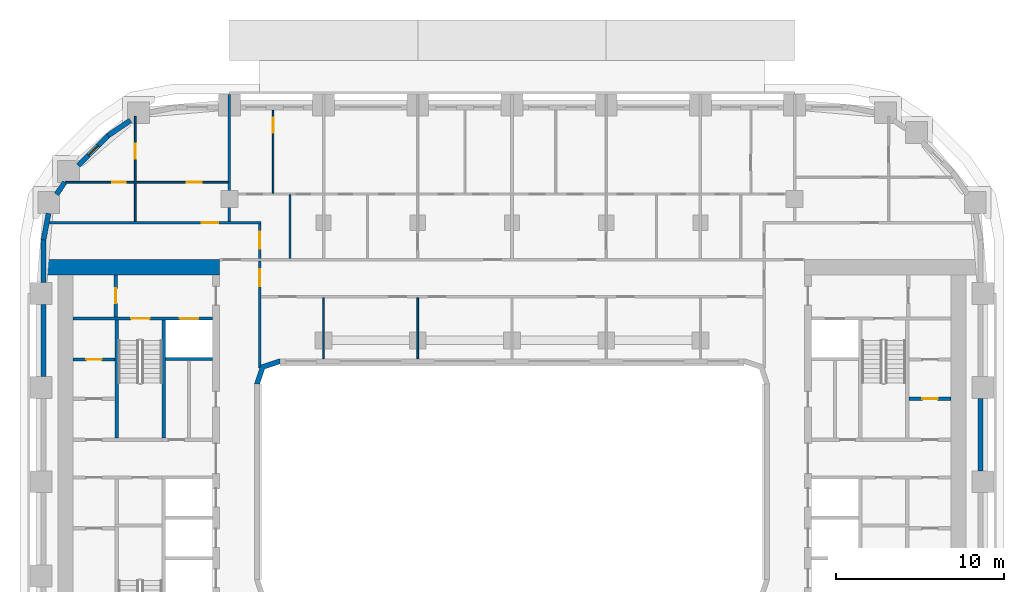
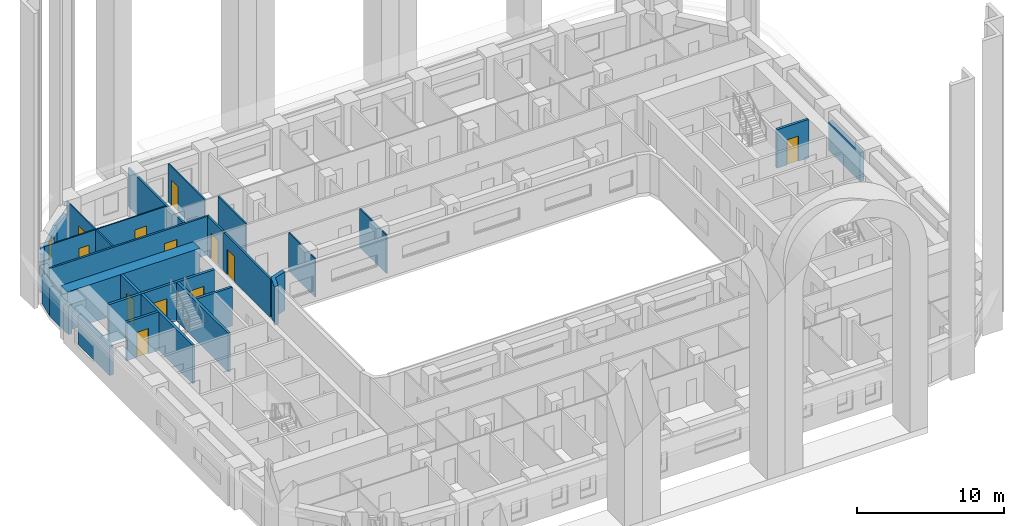
# One storey, part 7 of 19: 27 walls, 12 doors, 1 window, 13 openings.
"""IFC4 building model written with IfcOpenShell, lengths in metres."""

import ifcopenshell
import ifcopenshell.guid

model = None  # the IFC model being written
_history = None  # IfcOwnerHistory: only IFC2X3 demands one
_inside = {}  # id of a spatial element -> (the spatial element, [elements in it])
_under = {}  # id of a project, library or spatial element -> (it, [spatial elements below it])
_declared = {}  # id of a project -> (the project, [libraries it declares])
_typed = {}  # id of a type object -> (the type object, [elements of that type])
_made_of = {}  # id of a material, layer set ... -> (it, [elements and type objects made of it])


def new_model(schema):
    """Start an empty IFC model of exactly this schema.

    Asked for "IFC4X3", IfcOpenShell would pick the latest addendum, in which some entities
    have other attributes; the version numbers below select the first issue.
    IFC2X3 requires an IfcOwnerHistory on every rooted entity: one is made here for all.
    """
    global model, _history
    if schema == "IFC4X3":
        model = ifcopenshell.file(schema_version=(4, 3, 0, 0))
    else:
        model = ifcopenshell.file(schema=schema)
    _inside.clear()
    _under.clear()
    _declared.clear()
    _typed.clear()
    _made_of.clear()
    _history = None
    if model.schema == "IFC2X3":
        org = make("IfcOrganization", Name="unknown")
        user = make(
            "IfcPersonAndOrganization",
            ThePerson=make("IfcPerson", FamilyName="unknown"),
            TheOrganization=org,
        )
        app = make(
            "IfcApplication",
            ApplicationDeveloper=org,
            Version="unknown",
            ApplicationFullName="unknown",
            ApplicationIdentifier="unknown",
        )
        _history = make(
            "IfcOwnerHistory",
            OwningUser=user,
            OwningApplication=app,
            ChangeAction="ADDED",
            CreationDate=0,
        )
    return model


def make(cls, **values):
    """One entity of the class cls with the attributes given. An attribute that is None is left unset."""
    return model.create_entity(
        cls, **{name: value for name, value in values.items() if value is not None}
    )


def rooted(cls, **values):
    """An entity with a GlobalId (a new one), such as an element, a storey or a relation."""
    return make(cls, GlobalId=ifcopenshell.guid.new(), OwnerHistory=_history, **values)


def si_unit(unit_type, name, prefix=None):
    """IfcSIUnit, for example si_unit("LENGTHUNIT", "METRE", prefix="MILLI")."""
    return make("IfcSIUnit", UnitType=unit_type, Prefix=prefix, Name=name)


def assignment(units):
    """IfcUnitAssignment: the units of a project."""
    return None if units is None else make("IfcUnitAssignment", Units=units)


def point(xyz):
    """IfcCartesianPoint."""
    return None if xyz is None else make("IfcCartesianPoint", Coordinates=xyz)


def direction(xyz):
    """IfcDirection."""
    return None if xyz is None else make("IfcDirection", DirectionRatios=xyz)


def frame(location, z_axis=None, x_axis=None):
    """IfcAxis2Placement3D, a coordinate frame: its origin and axes. An axis left out is left unset."""
    return make(
        "IfcAxis2Placement3D",
        Location=point(location),
        Axis=direction(z_axis),
        RefDirection=direction(x_axis),
    )


def frame_2d(location, x_axis=None):
    """IfcAxis2Placement2D, a coordinate frame in the plane: its origin and x axis."""
    return make(
        "IfcAxis2Placement2D", Location=point(location), RefDirection=direction(x_axis)
    )


def origin():
    """The frame at (0, 0, 0) with its axes left unset."""
    return frame((0.0, 0.0, 0.0))


def place(relative_to, where):
    """IfcLocalPlacement: puts the frame where relative to a parent placement (None: the world)."""
    return make(
        "IfcLocalPlacement", PlacementRelTo=relative_to, RelativePlacement=where
    )


def context(
    kind, dimensions, precision=None, world=None, true_north=None, identifier=None
):
    """IfcGeometricRepresentationContext, for example the 3D "Model" context."""
    return make(
        "IfcGeometricRepresentationContext",
        ContextIdentifier=identifier,
        ContextType=kind,
        CoordinateSpaceDimension=dimensions,
        Precision=precision,
        WorldCoordinateSystem=world,
        TrueNorth=true_north,
    )


def subcontext(parent, identifier, kind, view, scale=None):
    """IfcGeometricRepresentationSubContext, for example "Body" below "Model"."""
    return make(
        "IfcGeometricRepresentationSubContext",
        ContextIdentifier=identifier,
        ContextType=kind,
        ParentContext=parent,
        TargetScale=scale,
        TargetView=view,
    )


def project(units=None, contexts=None):
    """IfcProject with its units and contexts."""
    return rooted(
        "IfcProject",
        Name="project",
        RepresentationContexts=contexts,
        UnitsInContext=assignment(units),
    )


def spatial(cls, under=None, at=None, **own):
    """A site, building, storey or space (cls), placed at a placement, below another one or the project."""
    s = rooted(cls, ObjectPlacement=at, **own)
    if under is not None:
        _under.setdefault(under.id(), (under, []))[1].append(s)
    return s


def polyline(points):
    """IfcPolyline through the points."""
    return make("IfcPolyline", Points=[point(p) for p in points])


def profile(cls, at=None, kind="AREA", **sizes):
    """A parametric profile (cls). Its sizes go by their IFC names, for example OverallWidth=200.0."""
    return make(cls, ProfileType=kind, Position=at, **sizes)


def rectangle(**sizes):
    """IfcRectangleProfileDef."""
    return profile("IfcRectangleProfileDef", **sizes)


def outline(outer, holes=None, kind="AREA"):
    """IfcArbitraryClosedProfileDef: a profile drawn as a closed curve; with holes, ...WithVoids."""
    if holes is None:
        return make("IfcArbitraryClosedProfileDef", ProfileType=kind, OuterCurve=outer)
    return make(
        "IfcArbitraryProfileDefWithVoids",
        ProfileType=kind,
        OuterCurve=outer,
        InnerCurves=holes,
    )


def extrude(swept, where, along, depth):
    """IfcExtrudedAreaSolid: the profile swept, set in the frame where, extruded along a direction by depth."""
    return make(
        "IfcExtrudedAreaSolid",
        SweptArea=swept,
        Position=where,
        ExtrudedDirection=direction(along),
        Depth=depth,
    )


def shape(context_of_items, identifier, shape_type, items):
    """IfcShapeRepresentation: the items that make up one representation, for example the "Body"."""
    return make(
        "IfcShapeRepresentation",
        ContextOfItems=context_of_items,
        RepresentationIdentifier=identifier,
        RepresentationType=shape_type,
        Items=items,
    )


def material(Name=None, Category=None):
    """IfcMaterial."""
    return make("IfcMaterial", Name=Name, Category=Category)


def layer(
    of_material, thickness, ventilated=None, Name=None, Category=None, Priority=None
):
    """IfcMaterialLayer: one layer of a wall or slab, of a material (None: an air gap)."""
    return make(
        "IfcMaterialLayer",
        Material=of_material,
        LayerThickness=thickness,
        IsVentilated=ventilated,
        Name=Name,
        Category=Category,
        Priority=Priority,
    )


def layer_set(layers, Name=None):
    """IfcMaterialLayerSet."""
    return make("IfcMaterialLayerSet", MaterialLayers=layers, LayerSetName=Name)


def made_of(thing, what):
    """Note that an element or type object is made of a material, layer set ...; save() writes the relation."""
    if what is not None:
        _made_of.setdefault(what.id(), (what, []))[1].append(thing)
    return thing


def type_object(cls, material=None, **own):
    """A type object (cls), such as IfcWallType, which elements share."""
    return made_of(rooted(cls, **own), material)


def element(
    cls,
    number,
    at=None,
    inside=None,
    cuts=None,
    type_object=None,
    material=None,
    context=None,
    identifier="Body",
    shape_type=None,
    held_by="IfcProductDefinitionShape",
    body=None,
    shapes=None,
    **own,
):
    """One element of the class cls, such as IfcWall. Its Tag is "e" and its number.

    at: its placement. inside: the storey or other place that contains it. cuts: it is an
    opening in that element (IfcRelVoidsElement). A single representation is given by context,
    identifier, shape_type and body (its items); several are given by shapes. held_by: the class
    of the entity that holds the representations. save() writes the other relations.
    """
    e = rooted(cls, Tag="e%d" % number, ObjectPlacement=at, **own)
    if body is not None:
        shapes = [shape(context, identifier, shape_type, body)]
    if shapes is not None:
        e.Representation = make(held_by, Representations=shapes)
    if inside is not None:
        _inside.setdefault(inside.id(), (inside, []))[1].append(e)
    if cuts is not None:
        rooted(
            "IfcRelVoidsElement", RelatingBuildingElement=cuts, RelatedOpeningElement=e
        )
    if type_object is not None:
        _typed.setdefault(type_object.id(), (type_object, []))[1].append(e)
    return made_of(e, material)


def fill(opening, filler):
    """IfcRelFillsElement: the door or window that sits in an opening."""
    return rooted(
        "IfcRelFillsElement",
        RelatingOpeningElement=opening,
        RelatedBuildingElement=filler,
    )


def aggregate(whole, parts):
    """IfcRelAggregates: a whole, such as a stair, and the parts it consists of."""
    return rooted("IfcRelAggregates", RelatingObject=whole, RelatedObjects=parts)


def save(model, path):
    """Write the relations noted so far, then the file.

    IfcRelAggregates (storeys below a building ...), IfcRelContainedInSpatialStructure (elements
    in a storey), IfcRelDefinesByType, IfcRelAssociatesMaterial and IfcRelDeclares: one each for
    every whole, place, type object, material and project.
    """
    for whole, parts in _under.values():
        aggregate(whole, parts)
    for where, things in _inside.values():
        rooted(
            "IfcRelContainedInSpatialStructure",
            RelatedElements=things,
            RelatingStructure=where,
        )
    for kind, things in _typed.values():
        rooted("IfcRelDefinesByType", RelatedObjects=things, RelatingType=kind)
    for what, things in _made_of.values():
        rooted("IfcRelAssociatesMaterial", RelatedObjects=things, RelatingMaterial=what)
    for by, libraries in _declared.values():
        rooted("IfcRelDeclares", RelatingContext=by, RelatedDefinitions=libraries)
    model.write(path)


model = new_model("IFC4")

# Units and contexts
model_context = context("Model", 3, precision=1e-05, world=origin(), true_north=direction((0.0, 1.0)))
body_context = subcontext(model_context, "Body", "Model", "MODEL_VIEW")
ifc_project = project(units=[si_unit("LENGTHUNIT", "METRE"), si_unit("AREAUNIT", "SQUARE_METRE"), si_unit("VOLUMEUNIT", "CUBIC_METRE"), si_unit("PLANEANGLEUNIT", "RADIAN"), si_unit("MASSUNIT", "GRAM", prefix="KILO")], contexts=[model_context])

# Site, building, storey
site_placement = place(None, origin())
site = spatial("IfcSite", under=ifc_project, at=site_placement, CompositionType="ELEMENT")
building_placement = place(site_placement, origin())
building = spatial("IfcBuilding", under=site, at=building_placement, Name="Kiln Ring Residences", CompositionType="ELEMENT")
storey_placement = place(building_placement, frame((0.0, 0.0, 83.300048828125)))
storey = spatial("IfcBuildingStorey", under=building, at=storey_placement, Name="L20", CompositionType="ELEMENT", Elevation=83.300048828125)

# Wall, opening, door
ifc_material_1 = material(Name="Gypsum board on steel studs", Category="steel")
ifc_layer_1 = layer(ifc_material_1, 0.199951171875)
ifc_layer_set_1 = layer_set([ifc_layer_1], Name="CORE-PARTITION-200")
wall_type_1 = type_object("IfcWallType", Name="CORE-PARTITION-200", PredefinedType="PARTITIONING", material=ifc_layer_set_1)
wall_1_placement = place(storey_placement, frame((-23.550048828125, 9.800048828125, 0.0), z_axis=(0.0, 0.0, 1.0), x_axis=(0.0, 1.0, 0.0)))
wall_1 = element("IfcWall", 1, at=wall_1_placement, inside=storey, type_object=wall_type_1, Name="Core partition west L20 4", PredefinedType="PARTITIONING", context=body_context, shape_type="SweptSolid", body=[
    extrude(rectangle(XDim=2.5, YDim=0.199951171875, at=frame_2d((1.25, 0.0))), origin(), (0.0, 0.0, 1.0), 3.199951171875),
])
opening_1_placement = place(wall_1_placement, frame((0.800048828125, 0.0, 0.0)))
opening_1 = element("IfcOpeningElement", 2, at=opening_1_placement, cuts=wall_1, Name="Opening L20-CW10", PredefinedType="OPENING", context=body_context, shape_type="SweptSolid", body=[
    extrude(rectangle(XDim=0.89990234375, YDim=2.10009765625, at=frame_2d((0.449951171875, 1.050048828125))), frame((0.0, 0.10986328125, 0.0), z_axis=(0.0, -1.0, 0.0), x_axis=(1.0, 0.0, 0.0)), (0.0, 0.0, 1.0), 0.219970703125),
])
ifc_material_2 = material(Name="Steel door leaf", Category="steel")
door_type_1 = type_object("IfcDoorType", Name="CORE-DOOR-ROOM", OperationType="SINGLE_SWING_LEFT", PredefinedType="DOOR", material=ifc_material_2)
door_1_placement = place(opening_1_placement, origin())
door_1 = element("IfcDoor", 3, at=door_1_placement, inside=storey, type_object=door_type_1, Name="Fire riser room L20-CW10", OperationType="SINGLE_SWING_RIGHT", OverallHeight=2.10009765625, OverallWidth=0.89990234375, PredefinedType="DOOR", context=body_context, shape_type="SweptSolid", body=[
    extrude(rectangle(XDim=0.89990234375, YDim=2.10009765625, at=frame_2d((0.449951171875, 1.050048828125))), frame((0.0, 0.02490234375, 0.0), z_axis=(0.0, -1.0, 0.0), x_axis=(1.0, 0.0, 0.0)), (0.0, 0.0, 1.0), 0.050048828125),
])
fill(opening_1, door_1)

wall_2_placement = place(storey_placement, frame((-23.60009765625, 7.2666015625, 0.0), z_axis=(0.0, 0.0, 1.0), x_axis=(-1.0, 0.0, 0.0)))
wall_2 = element("IfcWall", 4, at=wall_2_placement, inside=storey, type_object=wall_type_1, Name="Core partition west L20 9", PredefinedType="PARTITIONING", context=body_context, shape_type="SweptSolid", body=[
    extrude(rectangle(XDim=2.5, YDim=0.199951171875, at=frame_2d((1.25, 0.0))), origin(), (0.0, 0.0, 1.0), 3.199951171875),
])
opening_2_placement = place(wall_2_placement, frame((0.800048828125, 0.0, 0.0)))
opening_2 = element("IfcOpeningElement", 5, at=opening_2_placement, cuts=wall_2, Name="Opening L20-CW20", PredefinedType="OPENING", context=body_context, shape_type="SweptSolid", body=[
    extrude(rectangle(XDim=0.89990234375, YDim=2.10009765625, at=frame_2d((0.449951171875, 1.050048828125))), frame((0.0, 0.10986328125, 0.0), z_axis=(0.0, -1.0, 0.0), x_axis=(1.0, 0.0, 0.0)), (0.0, 0.0, 1.0), 0.219970703125),
])
door_2_placement = place(opening_2_placement, origin())
door_2 = element("IfcDoor", 6, at=door_2_placement, inside=storey, type_object=door_type_1, Name="Comms room L20-CW20", OperationType="SINGLE_SWING_LEFT", OverallHeight=2.10009765625, OverallWidth=0.89990234375, PredefinedType="DOOR", context=body_context, shape_type="SweptSolid", body=[
    extrude(rectangle(XDim=0.89990234375, YDim=2.10009765625, at=frame_2d((0.449951171875, 1.050048828125))), frame((0.0, 0.02490234375, 0.0), z_axis=(0.0, -1.0, 0.0), x_axis=(1.0, 0.0, 0.0)), (0.0, 0.0, 1.0), 0.050048828125),
])
fill(opening_2, door_2)

wall_3_placement = place(storey_placement, frame((23.60009765625, 4.933349609375, 0.0), z_axis=(0.0, 0.0, 1.0), x_axis=(1.0, 0.0, 0.0)))
wall_3 = element("IfcWall", 7, at=wall_3_placement, inside=storey, type_object=wall_type_1, Name="Core partition east L20 8", PredefinedType="PARTITIONING", context=body_context, shape_type="SweptSolid", body=[
    extrude(rectangle(XDim=2.5, YDim=0.199951171875, at=frame_2d((1.25, 0.0))), origin(), (0.0, 0.0, 1.0), 3.199951171875),
])
opening_3_placement = place(wall_3_placement, frame((0.800048828125, 0.0, 0.0)))
opening_3 = element("IfcOpeningElement", 8, at=opening_3_placement, cuts=wall_3, Name="Opening L20-CE19", PredefinedType="OPENING", context=body_context, shape_type="SweptSolid", body=[
    extrude(rectangle(XDim=0.89990234375, YDim=2.10009765625, at=frame_2d((0.449951171875, 1.050048828125))), frame((0.0, 0.10986328125, 0.0), z_axis=(0.0, -1.0, 0.0), x_axis=(1.0, 0.0, 0.0)), (0.0, 0.0, 1.0), 0.219970703125),
])
door_3_placement = place(opening_3_placement, origin())
door_3 = element("IfcDoor", 9, at=door_3_placement, inside=storey, type_object=door_type_1, Name="Electrical plant room L20-CE19", OperationType="SINGLE_SWING_LEFT", OverallHeight=2.10009765625, OverallWidth=0.89990234375, PredefinedType="DOOR", context=body_context, shape_type="SweptSolid", body=[
    extrude(rectangle(XDim=0.89990234375, YDim=2.10009765625, at=frame_2d((0.449951171875, 1.050048828125))), frame((0.0, 0.02490234375, 0.0), z_axis=(0.0, -1.0, 0.0), x_axis=(1.0, 0.0, 0.0)), (0.0, 0.0, 1.0), 0.050048828125),
])
fill(opening_3, door_3)

# Walls
ifc_material_3 = material(Name="Gypsum shaft wall system")
ifc_layer_2 = layer(ifc_material_3, 0.199951171875)
ifc_layer_set_2 = layer_set([ifc_layer_2], Name="CORE-SHAFT-WALL-200")
wall_type_2 = type_object("IfcWallType", Name="CORE-SHAFT-WALL-200", PredefinedType="PARTITIONING", material=ifc_layer_set_2)
wall_4_placement = place(storey_placement, frame((-17.800048828125, 7.300048828125, 0.0), z_axis=(0.0, 0.0, 1.0), x_axis=(-1.0, 0.0, 0.0)))
element("IfcWall", 10, at=wall_4_placement, inside=storey, type_object=wall_type_2, Name="Core partition west L20 15", PredefinedType="PARTITIONING", context=body_context, shape_type="SweptSolid", body=[
    extrude(rectangle(XDim=2.800048828125, YDim=0.199951171875, at=frame_2d((1.39990234375, 0.0))), origin(), (0.0, 0.0, 1.0), 3.199951171875),
])
ifc_material_4 = material(Name="Concrete C40/50", Category="concrete")
ifc_layer_3 = layer(ifc_material_4, 0.199951171875)
ifc_layer_set_3 = layer_set([ifc_layer_3], Name="CORE-WALL-RC200")
wall_type_3 = type_object("IfcWallType", Name="CORE-WALL-RC200", PredefinedType="SHEAR", material=ifc_layer_set_3)
wall_5_placement = place(storey_placement, frame((-20.699951171875, 2.60009765625, 0.0), z_axis=(0.0, 0.0, 1.0), x_axis=(0.0, 1.0, 0.0)))
element("IfcWall", 11, at=wall_5_placement, inside=storey, type_object=wall_type_3, Name="Core wall west L20 1", PredefinedType="SHEAR", context=body_context, shape_type="SweptSolid", body=[
    extrude(rectangle(XDim=7.0, YDim=0.199951171875, at=frame_2d((3.5, 0.0))), origin(), (0.0, 0.0, 1.0), 3.199951171875),
])

# Wall, openings, doors
wall_6_placement = place(storey_placement, frame((-17.800048828125, 9.699951171875, 0.0), z_axis=(0.0, 0.0, 1.0), x_axis=(-1.0, 0.0, 0.0)))
wall_6 = element("IfcWall", 12, at=wall_6_placement, inside=storey, type_object=wall_type_3, Name="Core wall west L20 9", PredefinedType="SHEAR", context=body_context, shape_type="SweptSolid", body=[
    extrude(rectangle(XDim=8.300048828125, YDim=0.199951171875, at=frame_2d((4.14990234375, 0.0))), origin(), (0.0, 0.0, 1.0), 3.199951171875),
])
opening_4_placement = place(wall_6_placement, frame((0.85009765625, 0.0, 0.0)))
opening_4 = element("IfcOpeningElement", 13, at=opening_4_placement, cuts=wall_6, Name="Opening L20-CW07", PredefinedType="OPENING", context=body_context, shape_type="SweptSolid", body=[
    extrude(rectangle(XDim=1.10009765625, YDim=2.10009765625, at=frame_2d((0.550048828125, 1.050048828125))), frame((0.0, 0.10986328125, 0.0), z_axis=(0.0, -1.0, 0.0), x_axis=(1.0, 0.0, 0.0)), (0.0, 0.0, 1.0), 0.219970703125),
])
opening_5_placement = place(wall_6_placement, frame((3.75, 0.0, 0.0)))
opening_5 = element("IfcOpeningElement", 14, at=opening_5_placement, cuts=wall_6, Name="Opening L20-CW12", PredefinedType="OPENING", context=body_context, shape_type="SweptSolid", body=[
    extrude(rectangle(XDim=1.10009765625, YDim=2.10009765625, at=frame_2d((0.550048828125, 1.050048828125))), frame((0.0, 0.10986328125, 0.0), z_axis=(0.0, -1.0, 0.0), x_axis=(1.0, 0.0, 0.0)), (0.0, 0.0, 1.0), 0.219970703125),
])
ifc_material_5 = material(Name="Steel door leaf", Category="steel")
door_type_2 = type_object("IfcDoorType", Name="CORE-DOOR-LD", OperationType="DOUBLE_DOOR_SLIDING", PredefinedType="DOOR", material=ifc_material_5)
door_4_placement = place(opening_4_placement, origin())
door_4 = element("IfcDoor", 15, at=door_4_placement, inside=storey, type_object=door_type_2, Name="LD W-FF L20-CW07", OperationType="DOUBLE_DOOR_SLIDING", OverallHeight=2.10009765625, OverallWidth=1.10009765625, PredefinedType="DOOR", context=body_context, shape_type="SweptSolid", body=[
    extrude(rectangle(XDim=1.10009765625, YDim=2.10009765625, at=frame_2d((0.550048828125, 1.050048828125))), frame((0.0, 0.02490234375, 0.0), z_axis=(0.0, -1.0, 0.0), x_axis=(1.0, 0.0, 0.0)), (0.0, 0.0, 1.0), 0.050048828125),
])
fill(opening_4, door_4)
ifc_material_6 = material(Name="Steel door leaf", Category="steel")
door_type_3 = type_object("IfcDoorType", Name="CORE-DOOR-STAIR", OperationType="SINGLE_SWING_LEFT", PredefinedType="DOOR", material=ifc_material_6)
door_5_placement = place(opening_5_placement, origin())
door_5 = element("IfcDoor", 16, at=door_5_placement, inside=storey, type_object=door_type_3, Name="Stair W-STN L20-CW12", OperationType="SINGLE_SWING_RIGHT", OverallHeight=2.10009765625, OverallWidth=1.10009765625, PredefinedType="DOOR", context=body_context, shape_type="SweptSolid", body=[
    extrude(rectangle(XDim=1.10009765625, YDim=2.10009765625, at=frame_2d((0.550048828125, 1.050048828125))), frame((0.0, 0.02490234375, 0.0), z_axis=(0.0, -1.0, 0.0), x_axis=(1.0, 0.0, 0.0)), (0.0, 0.0, 1.0), 0.050048828125),
])
fill(opening_5, door_5)

# Walls
wall_7_placement = place(storey_placement, frame((-23.5, 2.60009765625, 0.0), z_axis=(0.0, 0.0, 1.0), x_axis=(0.0, 1.0, 0.0)))
element("IfcWall", 17, at=wall_7_placement, inside=storey, type_object=wall_type_3, Name="Core wall west L20 10", PredefinedType="SHEAR", context=body_context, shape_type="SweptSolid", body=[
    extrude(rectangle(XDim=7.0, YDim=0.199951171875, at=frame_2d((3.5, 0.0))), origin(), (0.0, 0.0, 1.0), 3.199951171875),
])
ifc_material_7 = material(Name="Concrete C60/75", Category="concrete")
ifc_layer_4 = layer(ifc_material_7, 0.89990234375)
ifc_layer_set_4 = layer_set([ifc_layer_4], Name="CORE-WALL-RC900")
wall_type_4 = type_object("IfcWallType", Name="CORE-WALL-RC900", PredefinedType="SHEAR", material=ifc_layer_set_4)
wall_8_placement = place(storey_placement, frame((-17.39990234375, 12.75, 0.0), z_axis=(0.0, 0.0, 1.0), x_axis=(-1.0, 0.0, 0.0)))
element("IfcWall", 18, at=wall_8_placement, inside=storey, type_object=wall_type_4, Name="Core wall west L20 4", PredefinedType="SHEAR", context=body_context, shape_type="SweptSolid", body=[
    extrude(rectangle(XDim=10.400146484375, YDim=0.89990234375, at=frame_2d((5.2001953125, 0.0))), origin(), (0.0, 0.0, 1.0), 3.199951171875),
])
ifc_material_8 = material(Name="Brick masonry, dark clay brick", Category="masonry")
ifc_layer_5 = layer(ifc_material_8, 0.300048828125)
ifc_layer_set_5 = layer_set([ifc_layer_5], Name="EW-300 BRICK WALL")
wall_type_5 = type_object("IfcWallType", Name="EW-300 BRICK WALL", PredefinedType="SOLIDWALL", material=ifc_layer_set_5)
wall_9_placement = place(storey_placement, frame((27.85009765625, 0.64990234375, 0.0), z_axis=(0.0, 0.0, 1.0), x_axis=(0.0, 1.0, 0.0)))
element("IfcWall", 19, at=wall_9_placement, inside=storey, type_object=wall_type_5, Name="Facade wall L20 20", PredefinedType="SOLIDWALL", context=body_context, shape_type="SweptSolid", body=[
    extrude(rectangle(XDim=4.300048828125, YDim=0.300048828125, at=frame_2d((2.14990234375, 0.0))), origin(), (0.0, 0.0, 1.0), 2.39990234375),
])
wall_10_placement = place(storey_placement, frame((-22.684326171875, 21.481689453125, 0.0), z_axis=(0.0, 0.0, 1.0), x_axis=(-0.82705935865, -0.562114594429, 0.0)))
element("IfcWall", 20, at=wall_10_placement, inside=storey, type_object=wall_type_5, Name="Facade wall L20 37", PredefinedType="SOLIDWALL", context=body_context, shape_type="SweptSolid", body=[
    extrude(rectangle(XDim=1.606201171875, YDim=0.300048828125, at=frame_2d((0.80322265625, 0.0))), origin(), (0.0, 0.0, 1.0), 2.39990234375),
])

# Wall, opening, window
wall_11_placement = place(storey_placement, frame((-23.990966796875, 20.596923828125, 0.0), z_axis=(0.0, 0.0, 1.0), x_axis=(-0.707106781187, -0.707106781187, 0.0)))
wall_11 = element("IfcWall", 21, at=wall_11_placement, inside=storey, type_object=wall_type_5, Name="Facade wall L20 38", PredefinedType="SOLIDWALL", context=body_context, shape_type="SweptSolid", body=[
    extrude(rectangle(XDim=2.550048828125, YDim=0.300048828125, at=frame_2d((1.27490234375, 0.0))), origin(), (0.0, 0.0, 1.0), 2.39990234375),
])
opening_6_placement = place(wall_11_placement, frame((0.875, 0.0, 0.60009765625)))
opening_6 = element("IfcOpeningElement", 22, at=opening_6_placement, cuts=wall_11, Name="Opening W5", PredefinedType="OPENING", context=body_context, shape_type="SweptSolid", body=[
    extrude(rectangle(XDim=0.800048828125, YDim=1.550048828125, at=frame_2d((0.39990234375, 0.77490234375))), frame((0.0, 0.159912109375, 0.0), z_axis=(0.0, -1.0, 0.0), x_axis=(1.0, 0.0, 0.0)), (0.0, 0.0, 1.0), 0.320068359375),
])
ifc_material_9 = material(Name="Aluminium frame with double glazing", Category="aluminium")
window_type = type_object("IfcWindowType", Name="WINDOW 800 x 1550", PartitioningType="SINGLE_PANEL", PredefinedType="WINDOW", material=ifc_material_9)
window_placement = place(opening_6_placement, origin())
window = element("IfcWindow", 23, at=window_placement, inside=storey, type_object=window_type, Name="Window L20 28", OverallHeight=1.550048828125, OverallWidth=0.800048828125, PartitioningType="SINGLE_PANEL", PredefinedType="WINDOW", context=body_context, shape_type="SweptSolid", body=[
    extrude(rectangle(XDim=0.800048828125, YDim=1.550048828125, at=frame_2d((0.39990234375, 0.77490234375))), frame((0.0, 0.030029296875, 0.0), z_axis=(0.0, -1.0, 0.0), x_axis=(1.0, 0.0, 0.0)), (0.0, 0.0, 1.0), 0.06005859375),
])
fill(opening_6, window)

# Walls
wall_12_placement = place(storey_placement, frame((-26.588623046875, 17.809814453125, 0.0), z_axis=(0.0, 0.0, 1.0), x_axis=(-0.562066330934, -0.827092159091, 0.0)))
element("IfcWall", 24, at=wall_12_placement, inside=storey, type_object=wall_type_5, Name="Facade wall L20 39", PredefinedType="SOLIDWALL", context=body_context, shape_type="SweptSolid", body=[
    extrude(rectangle(XDim=0.876953125, YDim=0.300048828125, at=frame_2d((0.4384765625, 0.0))), origin(), (0.0, 0.0, 1.0), 3.199951171875),
])
wall_13_placement = place(storey_placement, frame((-27.5517578125, 15.949462890625, 0.0), z_axis=(0.0, 0.0, 1.0), x_axis=(-0.187279751651, -0.982306619453, 0.0)))
element("IfcWall", 25, at=wall_13_placement, inside=storey, type_object=wall_type_5, Name="Facade wall L20 40", PredefinedType="SOLIDWALL", context=body_context, shape_type="SweptSolid", body=[
    extrude(rectangle(XDim=1.60595703125, YDim=0.300048828125, at=frame_2d((0.802978515625, 0.0))), origin(), (0.0, 0.0, 1.0), 2.39990234375),
])
wall_14_placement = place(storey_placement, frame((-27.85009765625, 14.39990234375, 0.0), z_axis=(0.0, 0.0, 1.0), x_axis=(0.0, -1.0, 0.0)))
element("IfcWall", 26, at=wall_14_placement, inside=storey, type_object=wall_type_5, Name="Facade wall L20 41", PredefinedType="SOLIDWALL", context=body_context, shape_type="SweptSolid", body=[
    extrude(rectangle(XDim=2.5498046875, YDim=0.300048828125, at=frame_2d((1.27490234375, 0.0))), origin(), (0.0, 0.0, 1.0), 2.39990234375),
])
wall_15_placement = place(storey_placement, frame((-27.85009765625, 10.550048828125, 0.0), z_axis=(0.0, 0.0, 1.0), x_axis=(0.0, -1.0, 0.0)))
element("IfcWall", 27, at=wall_15_placement, inside=storey, type_object=wall_type_5, Name="Facade wall L20 42", PredefinedType="SOLIDWALL", context=body_context, shape_type="SweptSolid", body=[
    extrude(rectangle(XDim=4.300048828125, YDim=0.300048828125, at=frame_2d((2.14990234375, 0.0))), origin(), (0.0, 0.0, 1.0), 2.39990234375),
])
wall_16_placement = place(storey_placement, origin())
element("IfcWall", 28, at=wall_16_placement, inside=storey, type_object=wall_type_5, Name="Corner wall L20 1", PredefinedType="SOLIDWALL", context=body_context, shape_type="SweptSolid", body=[
    extrude(outline(polyline([(-13.8486328125, 7.300048828125), (-14.937255859375, 6.937255859375), (-15.300048828125, 5.8486328125), (-15.300048828125, 5.800048828125), (-15.0, 5.800048828125), (-14.699951171875, 6.699951171875), (-13.800048828125, 7.0), (-13.800048828125, 7.300048828125), (-13.8486328125, 7.300048828125)])), origin(), (0.0, 0.0, 1.0), 3.199951171875),
])

# Wall, openings, doors
ifc_material_10 = material(Name="Gypsum board on steel studs", Category="steel")
ifc_layer_6 = layer(ifc_material_10, 0.10009765625)
ifc_layer_set_6 = layer_set([ifc_layer_6], Name="PARTITION-100")
wall_type_6 = type_object("IfcWallType", Name="PARTITION-100", PredefinedType="PARTITIONING", material=ifc_layer_set_6)
wall_17_placement = place(storey_placement, frame((-26.55419921875, 17.800048828125, 0.0), z_axis=(0.0, 0.0, 1.0), x_axis=(1.0, 0.0, 0.0)))
wall_17 = element("IfcWall", 29, at=wall_17_placement, inside=storey, type_object=wall_type_6, Name="Partition 012", PredefinedType="PARTITIONING", context=body_context, shape_type="SweptSolid", body=[
    extrude(rectangle(XDim=9.67919921875, YDim=0.10009765625, at=frame_2d((4.839599609375, 0.0))), origin(), (0.0, 0.0, 1.0), 3.199951171875),
])
opening_7_placement = place(wall_17_placement, frame((2.7861328125, 0.0, 0.0)))
opening_7 = element("IfcOpeningElement", 30, at=opening_7_placement, cuts=wall_17, Name="Opening L20-D040", PredefinedType="OPENING", context=body_context, shape_type="SweptSolid", body=[
    extrude(rectangle(XDim=0.800048828125, YDim=2.10009765625, at=frame_2d((0.39990234375, 1.050048828125))), frame((0.0, 0.06005859375, 0.0), z_axis=(0.0, -1.0, 0.0), x_axis=(1.0, 0.0, 0.0)), (0.0, 0.0, 1.0), 0.1201171875),
])
opening_8_placement = place(wall_17_placement, frame((7.2041015625, 0.0, 0.0)))
opening_8 = element("IfcOpeningElement", 31, at=opening_8_placement, cuts=wall_17, Name="Opening L20-D041", PredefinedType="OPENING", context=body_context, shape_type="SweptSolid", body=[
    extrude(rectangle(XDim=0.89990234375, YDim=2.10009765625, at=frame_2d((0.449951171875, 1.050048828125))), frame((0.0, 0.06005859375, 0.0), z_axis=(0.0, -1.0, 0.0), x_axis=(1.0, 0.0, 0.0)), (0.0, 0.0, 1.0), 0.1201171875),
])
ifc_material_11 = material(Name="Timber door leaf", Category="wood")
door_type_4 = type_object("IfcDoorType", Name="FLAT-DOOR-800-PL", OperationType="SINGLE_SWING_LEFT", PredefinedType="DOOR", material=ifc_material_11)
door_6_placement = place(opening_7_placement, origin())
door_6 = element("IfcDoor", 32, at=door_6_placement, inside=storey, type_object=door_type_4, Name="Door L20-D040", OperationType="SINGLE_SWING_RIGHT", OverallHeight=2.10009765625, OverallWidth=0.800048828125, PredefinedType="DOOR", context=body_context, shape_type="SweptSolid", body=[
    extrude(rectangle(XDim=0.800048828125, YDim=2.10009765625, at=frame_2d((0.39990234375, 1.050048828125))), frame((0.0, 0.02490234375, 0.0), z_axis=(0.0, -1.0, 0.0), x_axis=(1.0, 0.0, 0.0)), (0.0, 0.0, 1.0), 0.050048828125),
])
fill(opening_7, door_6)
ifc_material_12 = material(Name="Timber door leaf", Category="wood")
door_type_5 = type_object("IfcDoorType", Name="FLAT-DOOR-900-PL", OperationType="SINGLE_SWING_LEFT", PredefinedType="DOOR", material=ifc_material_12)
door_7_placement = place(opening_8_placement, origin())
door_7 = element("IfcDoor", 33, at=door_7_placement, inside=storey, type_object=door_type_5, Name="Door L20-D041", OperationType="SINGLE_SWING_LEFT", OverallHeight=2.10009765625, OverallWidth=0.89990234375, PredefinedType="DOOR", context=body_context, shape_type="SweptSolid", body=[
    extrude(rectangle(XDim=0.89990234375, YDim=2.10009765625, at=frame_2d((0.449951171875, 1.050048828125))), frame((0.0, 0.02490234375, 0.0), z_axis=(0.0, -1.0, 0.0), x_axis=(1.0, 0.0, 0.0)), (0.0, 0.0, 1.0), 0.050048828125),
])
fill(opening_8, door_7)

# Wall
wall_18_placement = place(storey_placement, frame((-22.39990234375, 15.47509765625, 0.0), z_axis=(0.0, 0.0, 1.0), x_axis=(0.0, 1.0, 0.0)))
element("IfcWall", 34, at=wall_18_placement, inside=storey, type_object=wall_type_6, Name="Partition 016", PredefinedType="PARTITIONING", context=body_context, shape_type="SweptSolid", body=[
    extrude(rectangle(XDim=2.27490234375, YDim=0.10009765625, at=frame_2d((1.137451171875, 0.0))), origin(), (0.0, 0.0, 1.0), 3.199951171875),
])

# Wall, opening, door
wall_19_placement = place(storey_placement, frame((-22.39990234375, 17.85009765625, 0.0), z_axis=(0.0, 0.0, 1.0), x_axis=(0.0, 1.0, 0.0)))
wall_19 = element("IfcWall", 35, at=wall_19_placement, inside=storey, type_object=wall_type_6, Name="Partition 017", PredefinedType="PARTITIONING", context=body_context, shape_type="SweptSolid", body=[
    extrude(rectangle(XDim=3.869873046875, YDim=0.10009765625, at=frame_2d((1.93505859375, 0.0))), origin(), (0.0, 0.0, 1.0), 3.199951171875),
])
opening_9_placement = place(wall_19_placement, frame((1.347900390625, 0.0, 0.0)))
opening_9 = element("IfcOpeningElement", 36, at=opening_9_placement, cuts=wall_19, Name="Opening L20-D042", PredefinedType="OPENING", context=body_context, shape_type="SweptSolid", body=[
    extrude(rectangle(XDim=0.89990234375, YDim=2.10009765625, at=frame_2d((0.449951171875, 1.050048828125))), frame((0.0, 0.06005859375, 0.0), z_axis=(0.0, -1.0, 0.0), x_axis=(1.0, 0.0, 0.0)), (0.0, 0.0, 1.0), 0.1201171875),
])
door_8_placement = place(opening_9_placement, origin())
door_8 = element("IfcDoor", 37, at=door_8_placement, inside=storey, type_object=door_type_5, Name="Door L20-D042", OperationType="SINGLE_SWING_RIGHT", OverallHeight=2.10009765625, OverallWidth=0.89990234375, PredefinedType="DOOR", context=body_context, shape_type="SweptSolid", body=[
    extrude(rectangle(XDim=0.89990234375, YDim=2.10009765625, at=frame_2d((0.449951171875, 1.050048828125))), frame((0.0, 0.02490234375, 0.0), z_axis=(0.0, -1.0, 0.0), x_axis=(1.0, 0.0, 0.0)), (0.0, 0.0, 1.0), 0.050048828125),
])
fill(opening_9, door_8)

wall_20_placement = place(storey_placement, frame((-14.199951171875, 17.14990234375, 0.0), z_axis=(0.0, 0.0, 1.0), x_axis=(0.0, 1.0, 0.0)))
wall_20 = element("IfcWall", 38, at=wall_20_placement, inside=storey, type_object=wall_type_6, Name="Partition 024", PredefinedType="PARTITIONING", context=body_context, shape_type="SweptSolid", body=[
    extrude(rectangle(XDim=4.93017578125, YDim=0.10009765625, at=frame_2d((2.465087890625, 0.0))), origin(), (0.0, 0.0, 1.0), 3.199951171875),
])
opening_10_placement = place(wall_20_placement, frame((3.60009765625, 0.0, 0.0)))
opening_10 = element("IfcOpeningElement", 39, at=opening_10_placement, cuts=wall_20, Name="Opening L20-D018", PredefinedType="OPENING", context=body_context, shape_type="SweptSolid", body=[
    extrude(rectangle(XDim=0.89990234375, YDim=2.10009765625, at=frame_2d((0.449951171875, 1.050048828125))), frame((0.0, 0.06005859375, 0.0), z_axis=(0.0, -1.0, 0.0), x_axis=(1.0, 0.0, 0.0)), (0.0, 0.0, 1.0), 0.1201171875),
])
door_9_placement = place(opening_10_placement, origin())
door_9 = element("IfcDoor", 40, at=door_9_placement, inside=storey, type_object=door_type_5, Name="Door L20-D018", OperationType="SINGLE_SWING_RIGHT", OverallHeight=2.10009765625, OverallWidth=0.89990234375, PredefinedType="DOOR", context=body_context, shape_type="SweptSolid", body=[
    extrude(rectangle(XDim=0.89990234375, YDim=2.10009765625, at=frame_2d((0.449951171875, 1.050048828125))), frame((0.0, 0.02490234375, 0.0), z_axis=(0.0, -1.0, 0.0), x_axis=(1.0, 0.0, 0.0)), (0.0, 0.0, 1.0), 0.050048828125),
])
fill(opening_10, door_9)

# Walls
wall_21_placement = place(storey_placement, frame((-13.199951171875, 13.27490234375, 0.0), z_axis=(0.0, 0.0, 1.0), x_axis=(0.0, 1.0, 0.0)))
element("IfcWall", 41, at=wall_21_placement, inside=storey, type_object=wall_type_6, Name="Partition 027", PredefinedType="PARTITIONING", context=body_context, shape_type="SweptSolid", body=[
    extrude(rectangle(XDim=3.775146484375, YDim=0.10009765625, at=frame_2d((1.8876953125, 0.0))), origin(), (0.0, 0.0, 1.0), 3.199951171875),
])
for number, where, z_axis, x_axis, name in (
    (42, (-11.199951171875, 7.320068359375, 0.0), (0.0, 0.0, 1.0), (0.0, 1.0, 0.0), "Partition 030"),
    (43, (-5.60009765625, 7.320068359375, 0.0), (0.0, 0.0, 1.0), (0.0, 1.0, 0.0), "Partition 038"),
):
    element("IfcWall", number, at=place(storey_placement, frame(where, z_axis=z_axis, x_axis=x_axis)), inside=storey, type_object=wall_type_6, Name=name, PredefinedType="PARTITIONING", context=body_context, shape_type="SweptSolid", body=[
        extrude(rectangle(XDim=3.60498046875, YDim=0.10009765625, at=frame_2d((1.802490234375, 0.0))), origin(), (0.0, 0.0, 1.0), 3.199951171875),
    ])

# Wall, opening, door
ifc_material_13 = material(Name="Brick masonry partition", Category="masonry")
ifc_layer_7 = layer(ifc_material_13, 0.14990234375)
ifc_layer_set_7 = layer_set([ifc_layer_7], Name="PARTITION-150-ei60")
wall_type_7 = type_object("IfcWallType", Name="PARTITION-150-ei60", PredefinedType="PARTITIONING", material=ifc_layer_set_7)
wall_22_placement = place(storey_placement, frame((-27.48388671875, 15.39990234375, 0.0), z_axis=(0.0, 0.0, 1.0), x_axis=(1.0, 0.0, 0.0)))
wall_22 = element("IfcWall", 44, at=wall_22_placement, inside=storey, type_object=wall_type_7, Name="Partition 009", PredefinedType="PARTITIONING", context=body_context, shape_type="SweptSolid", body=[
    extrude(rectangle(XDim=12.558837890625, YDim=0.14990234375, at=frame_2d((6.279296875, 0.0))), origin(), (0.0, 0.0, 1.0), 3.199951171875),
])
opening_11_placement = place(wall_22_placement, frame((9.03369140625, 0.0, 0.0)))
opening_11 = element("IfcOpeningElement", 45, at=opening_11_placement, cuts=wall_22, Name="Opening L20-D039", PredefinedType="OPENING", context=body_context, shape_type="SweptSolid", body=[
    extrude(rectangle(XDim=1.0, YDim=2.10009765625, at=frame_2d((0.5, 1.050048828125))), frame((0.0, 0.0849609375, 0.0), z_axis=(0.0, -1.0, 0.0), x_axis=(1.0, 0.0, 0.0)), (0.0, 0.0, 1.0), 0.169921875),
])
ifc_material_14 = material(Name="Steel faced fire door leaf", Category="steel")
door_type_6 = type_object("IfcDoorType", Name="FLAT-DOOR-1000-FR", OperationType="SINGLE_SWING_LEFT", PredefinedType="DOOR", material=ifc_material_14)
door_10_placement = place(opening_11_placement, origin())
door_10 = element("IfcDoor", 46, at=door_10_placement, inside=storey, type_object=door_type_6, Name="Door L20-D039", OperationType="SINGLE_SWING_LEFT", OverallHeight=2.10009765625, OverallWidth=1.0, PredefinedType="DOOR", context=body_context, shape_type="SweptSolid", body=[
    extrude(rectangle(XDim=1.0, YDim=2.10009765625, at=frame_2d((0.5, 1.050048828125))), frame((0.0, 0.02490234375, 0.0), z_axis=(0.0, -1.0, 0.0), x_axis=(1.0, 0.0, 0.0)), (0.0, 0.0, 1.0), 0.050048828125),
])
fill(opening_11, door_10)

# Wall
wall_23_placement = place(storey_placement, frame((-16.800048828125, 15.47509765625, 0.0), z_axis=(0.0, 0.0, 1.0), x_axis=(0.0, 1.0, 0.0)))
element("IfcWall", 47, at=wall_23_placement, inside=storey, type_object=wall_type_7, Name="Partition 019", PredefinedType="PARTITIONING", context=body_context, shape_type="SweptSolid", body=[
    extrude(rectangle(XDim=7.554931640625, YDim=0.14990234375, at=frame_2d((3.77734375, 0.0))), origin(), (0.0, 0.0, 1.0), 3.199951171875),
])

# Wall, opening, door
wall_24_placement = place(storey_placement, frame((-15.0, 6.768798828125, 0.0), z_axis=(0.0, 0.0, 1.0), x_axis=(0.0, 1.0, 0.0)))
wall_24 = element("IfcWall", 48, at=wall_24_placement, inside=storey, type_object=wall_type_7, Name="Partition 022", PredefinedType="PARTITIONING", context=body_context, shape_type="SweptSolid", body=[
    extrude(rectangle(XDim=6.356201171875, YDim=0.14990234375, at=frame_2d((3.17822265625, 0.0))), origin(), (0.0, 0.0, 1.0), 3.199951171875),
])
opening_12_placement = place(wall_24_placement, frame((4.860107421875, 0.0, 0.0)))
opening_12 = element("IfcOpeningElement", 49, at=opening_12_placement, cuts=wall_24, Name="Opening L20-D001", PredefinedType="OPENING", context=body_context, shape_type="SweptSolid", body=[
    extrude(rectangle(XDim=1.0, YDim=2.10009765625, at=frame_2d((0.5, 1.050048828125))), frame((0.0, 0.0849609375, 0.0), z_axis=(0.0, -1.0, 0.0), x_axis=(1.0, 0.0, 0.0)), (0.0, 0.0, 1.0), 0.169921875),
])
door_11_placement = place(opening_12_placement, origin())
door_11 = element("IfcDoor", 50, at=door_11_placement, inside=storey, type_object=door_type_6, Name="Door L20-D001", OperationType="SINGLE_SWING_RIGHT", OverallHeight=2.10009765625, OverallWidth=1.0, PredefinedType="DOOR", context=body_context, shape_type="SweptSolid", body=[
    extrude(rectangle(XDim=1.0, YDim=2.10009765625, at=frame_2d((0.5, 1.050048828125))), frame((0.0, 0.02490234375, 0.0), z_axis=(0.0, -1.0, 0.0), x_axis=(1.0, 0.0, 0.0)), (0.0, 0.0, 1.0), 0.050048828125),
])
fill(opening_12, door_11)

wall_25_placement = place(storey_placement, frame((-15.0, 13.27490234375, 0.0), z_axis=(0.0, 0.0, 1.0), x_axis=(0.0, 1.0, 0.0)))
wall_25 = element("IfcWall", 51, at=wall_25_placement, inside=storey, type_object=wall_type_7, Name="Partition 023", PredefinedType="PARTITIONING", context=body_context, shape_type="SweptSolid", body=[
    extrude(rectangle(XDim=2.050048828125, YDim=0.14990234375, at=frame_2d((1.02490234375, 0.0))), origin(), (0.0, 0.0, 1.0), 3.199951171875),
])
opening_13_placement = place(wall_25_placement, frame((0.575927734375, 0.0, 0.0)))
opening_13 = element("IfcOpeningElement", 52, at=opening_13_placement, cuts=wall_25, Name="Opening L20-D015", PredefinedType="OPENING", context=body_context, shape_type="SweptSolid", body=[
    extrude(rectangle(XDim=1.0, YDim=2.10009765625, at=frame_2d((0.5, 1.050048828125))), frame((0.0, 0.0849609375, 0.0), z_axis=(0.0, -1.0, 0.0), x_axis=(1.0, 0.0, 0.0)), (0.0, 0.0, 1.0), 0.169921875),
])
door_12_placement = place(opening_13_placement, origin())
door_12 = element("IfcDoor", 53, at=door_12_placement, inside=storey, type_object=door_type_6, Name="Door L20-D015", OperationType="SINGLE_SWING_LEFT", OverallHeight=2.10009765625, OverallWidth=1.0, PredefinedType="DOOR", context=body_context, shape_type="SweptSolid", body=[
    extrude(rectangle(XDim=1.0, YDim=2.10009765625, at=frame_2d((0.5, 1.050048828125))), frame((0.0, 0.02490234375, 0.0), z_axis=(0.0, -1.0, 0.0), x_axis=(1.0, 0.0, 0.0)), (0.0, 0.0, 1.0), 0.050048828125),
])
fill(opening_13, door_12)

save(model, "model.ifc")
